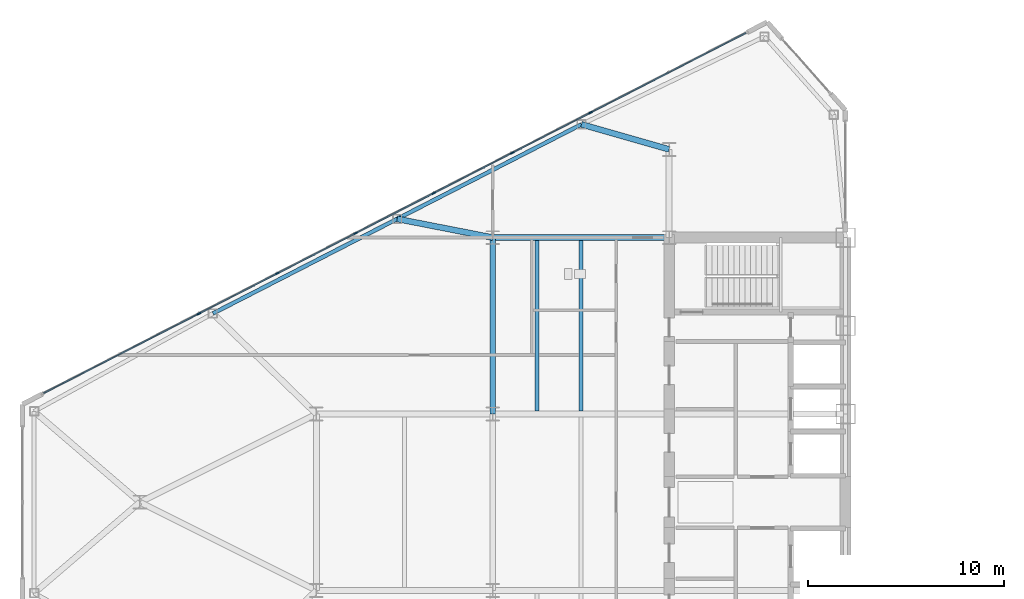
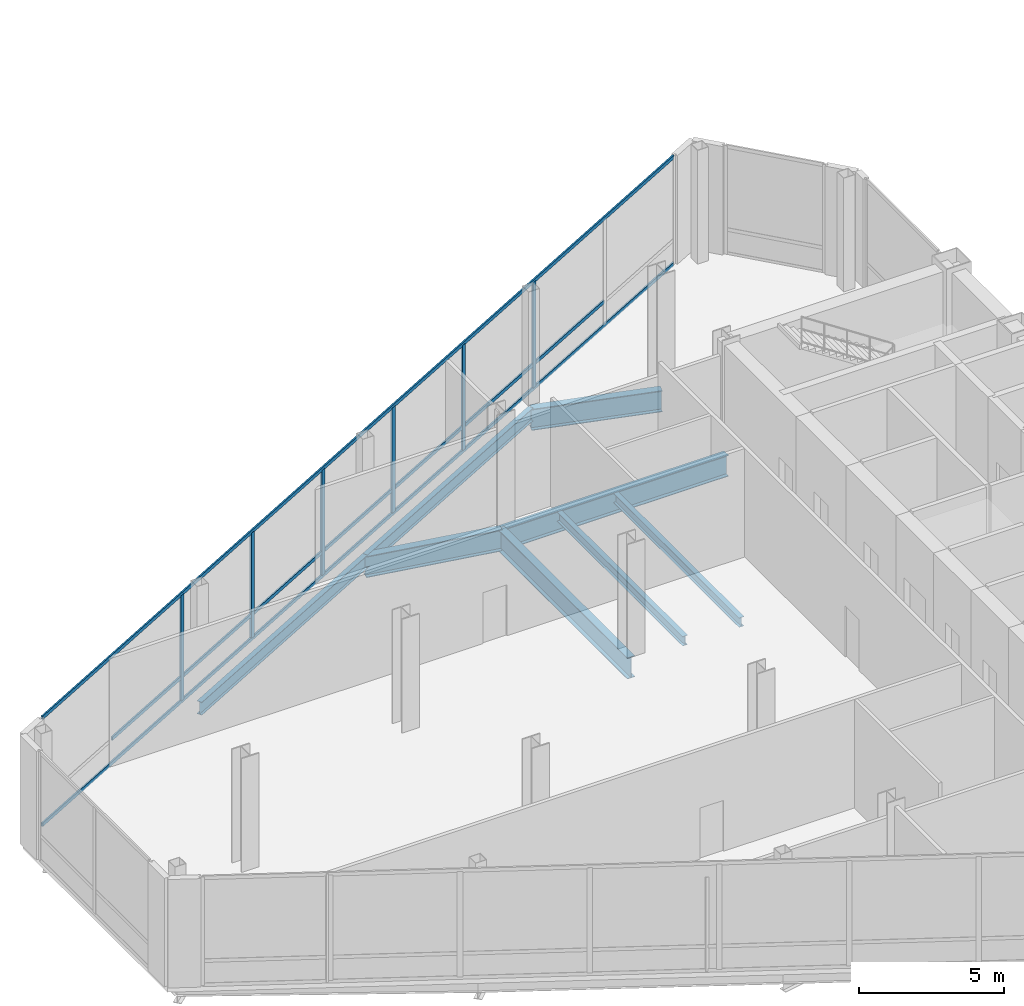
# One storey, part 6 of 22: 15 members, 8 beams, 1 element without a shape of its own.
"""IFC4 building model written with IfcOpenShell, lengths in metres."""

import ifcopenshell
import ifcopenshell.guid

model = None  # the IFC model being written
_history = None  # IfcOwnerHistory: only IFC2X3 demands one
_inside = {}  # id of a spatial element -> (the spatial element, [elements in it])
_under = {}  # id of a project, library or spatial element -> (it, [spatial elements below it])
_declared = {}  # id of a project -> (the project, [libraries it declares])
_typed = {}  # id of a type object -> (the type object, [elements of that type])
_made_of = {}  # id of a material, layer set ... -> (it, [elements and type objects made of it])


def new_model(schema):
    """Start an empty IFC model of exactly this schema.

    Asked for "IFC4X3", IfcOpenShell would pick the latest addendum, in which some entities
    have other attributes; the version numbers below select the first issue.
    IFC2X3 requires an IfcOwnerHistory on every rooted entity: one is made here for all.
    """
    global model, _history
    if schema == "IFC4X3":
        model = ifcopenshell.file(schema_version=(4, 3, 0, 0))
    else:
        model = ifcopenshell.file(schema=schema)
    _inside.clear()
    _under.clear()
    _declared.clear()
    _typed.clear()
    _made_of.clear()
    _history = None
    if model.schema == "IFC2X3":
        org = make("IfcOrganization", Name="unknown")
        user = make(
            "IfcPersonAndOrganization",
            ThePerson=make("IfcPerson", FamilyName="unknown"),
            TheOrganization=org,
        )
        app = make(
            "IfcApplication",
            ApplicationDeveloper=org,
            Version="unknown",
            ApplicationFullName="unknown",
            ApplicationIdentifier="unknown",
        )
        _history = make(
            "IfcOwnerHistory",
            OwningUser=user,
            OwningApplication=app,
            ChangeAction="ADDED",
            CreationDate=0,
        )
    return model


def make(cls, **values):
    """One entity of the class cls with the attributes given. An attribute that is None is left unset."""
    return model.create_entity(
        cls, **{name: value for name, value in values.items() if value is not None}
    )


def rooted(cls, **values):
    """An entity with a GlobalId (a new one), such as an element, a storey or a relation."""
    return make(cls, GlobalId=ifcopenshell.guid.new(), OwnerHistory=_history, **values)


def si_unit(unit_type, name, prefix=None):
    """IfcSIUnit, for example si_unit("LENGTHUNIT", "METRE", prefix="MILLI")."""
    return make("IfcSIUnit", UnitType=unit_type, Prefix=prefix, Name=name)


def assignment(units):
    """IfcUnitAssignment: the units of a project."""
    return None if units is None else make("IfcUnitAssignment", Units=units)


def point(xyz):
    """IfcCartesianPoint."""
    return None if xyz is None else make("IfcCartesianPoint", Coordinates=xyz)


def direction(xyz):
    """IfcDirection."""
    return None if xyz is None else make("IfcDirection", DirectionRatios=xyz)


def frame(location, z_axis=None, x_axis=None):
    """IfcAxis2Placement3D, a coordinate frame: its origin and axes. An axis left out is left unset."""
    return make(
        "IfcAxis2Placement3D",
        Location=point(location),
        Axis=direction(z_axis),
        RefDirection=direction(x_axis),
    )


def frame_2d(location, x_axis=None):
    """IfcAxis2Placement2D, a coordinate frame in the plane: its origin and x axis."""
    return make(
        "IfcAxis2Placement2D", Location=point(location), RefDirection=direction(x_axis)
    )


def origin():
    """The frame at (0, 0, 0) with its axes left unset."""
    return frame((0.0, 0.0, 0.0))


def origin_2d():
    """The frame at (0, 0) in the plane with its x axis left unset."""
    return frame_2d((0.0, 0.0))


def place(relative_to, where):
    """IfcLocalPlacement: puts the frame where relative to a parent placement (None: the world)."""
    return make(
        "IfcLocalPlacement", PlacementRelTo=relative_to, RelativePlacement=where
    )


def context(
    kind, dimensions, precision=None, world=None, true_north=None, identifier=None
):
    """IfcGeometricRepresentationContext, for example the 3D "Model" context."""
    return make(
        "IfcGeometricRepresentationContext",
        ContextIdentifier=identifier,
        ContextType=kind,
        CoordinateSpaceDimension=dimensions,
        Precision=precision,
        WorldCoordinateSystem=world,
        TrueNorth=true_north,
    )


def subcontext(parent, identifier, kind, view, scale=None):
    """IfcGeometricRepresentationSubContext, for example "Body" below "Model"."""
    return make(
        "IfcGeometricRepresentationSubContext",
        ContextIdentifier=identifier,
        ContextType=kind,
        ParentContext=parent,
        TargetScale=scale,
        TargetView=view,
    )


def project(units=None, contexts=None):
    """IfcProject with its units and contexts."""
    return rooted(
        "IfcProject",
        Name="project",
        RepresentationContexts=contexts,
        UnitsInContext=assignment(units),
    )


def spatial(cls, under=None, at=None, **own):
    """A site, building, storey or space (cls), placed at a placement, below another one or the project."""
    s = rooted(cls, ObjectPlacement=at, **own)
    if under is not None:
        _under.setdefault(under.id(), (under, []))[1].append(s)
    return s


def profile(cls, at=None, kind="AREA", **sizes):
    """A parametric profile (cls). Its sizes go by their IFC names, for example OverallWidth=200.0."""
    return make(cls, ProfileType=kind, Position=at, **sizes)


def rectangle(**sizes):
    """IfcRectangleProfileDef."""
    return profile("IfcRectangleProfileDef", **sizes)


def i_section(**sizes):
    """IfcIShapeProfileDef."""
    return profile("IfcIShapeProfileDef", **sizes)


def extrude(swept, where, along, depth):
    """IfcExtrudedAreaSolid: the profile swept, set in the frame where, extruded along a direction by depth."""
    return make(
        "IfcExtrudedAreaSolid",
        SweptArea=swept,
        Position=where,
        ExtrudedDirection=direction(along),
        Depth=depth,
    )


def shape(context_of_items, identifier, shape_type, items):
    """IfcShapeRepresentation: the items that make up one representation, for example the "Body"."""
    return make(
        "IfcShapeRepresentation",
        ContextOfItems=context_of_items,
        RepresentationIdentifier=identifier,
        RepresentationType=shape_type,
        Items=items,
    )


def source(mapping_origin, context_of_items, identifier, shape_type, items):
    """IfcRepresentationMap: a shape defined once, which mapped items show again and again."""
    return make(
        "IfcRepresentationMap",
        MappingOrigin=mapping_origin,
        MappedRepresentation=shape(context_of_items, identifier, shape_type, items),
    )


def transform(
    local_origin,
    x_axis=None,
    y_axis=None,
    z_axis=None,
    scale=None,
    scale2=None,
    scale3=None,
    uniform=True,
):
    """IfcCartesianTransformationOperator3D, or its non-uniform kind. x_axis, y_axis, z_axis: its Axis1, 2, 3."""
    if uniform:
        return make(
            "IfcCartesianTransformationOperator3D",
            Axis1=direction(x_axis),
            Axis2=direction(y_axis),
            LocalOrigin=point(local_origin),
            Scale=scale,
            Axis3=direction(z_axis),
        )
    return make(
        "IfcCartesianTransformationOperator3DnonUniform",
        Axis1=direction(x_axis),
        Axis2=direction(y_axis),
        LocalOrigin=point(local_origin),
        Scale=scale,
        Axis3=direction(z_axis),
        Scale2=scale2,
        Scale3=scale3,
    )


def mapped(mapping_source, mapping_target):
    """IfcMappedItem: shows the shape of a source again, moved by a transform."""
    return make(
        "IfcMappedItem", MappingSource=mapping_source, MappingTarget=mapping_target
    )


def material(Name=None, Category=None):
    """IfcMaterial."""
    return make("IfcMaterial", Name=Name, Category=Category)


def layer(
    of_material, thickness, ventilated=None, Name=None, Category=None, Priority=None
):
    """IfcMaterialLayer: one layer of a wall or slab, of a material (None: an air gap)."""
    return make(
        "IfcMaterialLayer",
        Material=of_material,
        LayerThickness=thickness,
        IsVentilated=ventilated,
        Name=Name,
        Category=Category,
        Priority=Priority,
    )


def layer_set(layers, Name=None):
    """IfcMaterialLayerSet."""
    return make("IfcMaterialLayerSet", MaterialLayers=layers, LayerSetName=Name)


def material_profile(
    of_material, cross_section, Name=None, Category=None, Priority=None
):
    """IfcMaterialProfile: a cross section and its material."""
    return make(
        "IfcMaterialProfile",
        Name=Name,
        Material=of_material,
        Profile=cross_section,
        Priority=Priority,
        Category=Category,
    )


def profile_set(profiles, Name=None, composite=None):
    """IfcMaterialProfileSet."""
    return make(
        "IfcMaterialProfileSet",
        Name=Name,
        MaterialProfiles=profiles,
        CompositeProfile=composite,
    )


def made_of(thing, what):
    """Note that an element or type object is made of a material, layer set ...; save() writes the relation."""
    if what is not None:
        _made_of.setdefault(what.id(), (what, []))[1].append(thing)
    return thing


def type_object(cls, material=None, **own):
    """A type object (cls), such as IfcWallType, which elements share."""
    return made_of(rooted(cls, **own), material)


def type_shapes(of_type, sources):
    """Give a type object the sources (RepresentationMaps) that its elements show as mapped items."""
    of_type.RepresentationMaps = sources


def element(
    cls,
    number,
    at=None,
    inside=None,
    cuts=None,
    type_object=None,
    material=None,
    context=None,
    identifier="Body",
    shape_type=None,
    held_by="IfcProductDefinitionShape",
    body=None,
    shapes=None,
    **own,
):
    """One element of the class cls, such as IfcWall. Its Tag is "e" and its number.

    at: its placement. inside: the storey or other place that contains it. cuts: it is an
    opening in that element (IfcRelVoidsElement). A single representation is given by context,
    identifier, shape_type and body (its items); several are given by shapes. held_by: the class
    of the entity that holds the representations. save() writes the other relations.
    """
    e = rooted(cls, Tag="e%d" % number, ObjectPlacement=at, **own)
    if body is not None:
        shapes = [shape(context, identifier, shape_type, body)]
    if shapes is not None:
        e.Representation = make(held_by, Representations=shapes)
    if inside is not None:
        _inside.setdefault(inside.id(), (inside, []))[1].append(e)
    if cuts is not None:
        rooted(
            "IfcRelVoidsElement", RelatingBuildingElement=cuts, RelatedOpeningElement=e
        )
    if type_object is not None:
        _typed.setdefault(type_object.id(), (type_object, []))[1].append(e)
    return made_of(e, material)


def aggregate(whole, parts):
    """IfcRelAggregates: a whole, such as a stair, and the parts it consists of."""
    return rooted("IfcRelAggregates", RelatingObject=whole, RelatedObjects=parts)


def save(model, path):
    """Write the relations noted so far, then the file.

    IfcRelAggregates (storeys below a building ...), IfcRelContainedInSpatialStructure (elements
    in a storey), IfcRelDefinesByType, IfcRelAssociatesMaterial and IfcRelDeclares: one each for
    every whole, place, type object, material and project.
    """
    for whole, parts in _under.values():
        aggregate(whole, parts)
    for where, things in _inside.values():
        rooted(
            "IfcRelContainedInSpatialStructure",
            RelatedElements=things,
            RelatingStructure=where,
        )
    for kind, things in _typed.values():
        rooted("IfcRelDefinesByType", RelatedObjects=things, RelatingType=kind)
    for what, things in _made_of.values():
        rooted("IfcRelAssociatesMaterial", RelatedObjects=things, RelatingMaterial=what)
    for by, libraries in _declared.values():
        rooted("IfcRelDeclares", RelatingContext=by, RelatedDefinitions=libraries)
    model.write(path)


model = new_model("IFC4")

# Units and contexts
model_context = context("Model", 3, precision=1e-05, world=origin(), true_north=direction((0.0, 1.0)))
body_context = subcontext(model_context, "Body", "Model", "MODEL_VIEW")
ifc_project = project(units=[si_unit("LENGTHUNIT", "METRE"), si_unit("AREAUNIT", "SQUARE_METRE"), si_unit("VOLUMEUNIT", "CUBIC_METRE"), si_unit("PLANEANGLEUNIT", "RADIAN"), si_unit("MASSUNIT", "GRAM", prefix="KILO")], contexts=[model_context])

# Site, building, storey
site_placement = place(None, origin())
site = spatial("IfcSite", under=ifc_project, at=site_placement, CompositionType="ELEMENT")
building_placement = place(site_placement, origin())
building = spatial("IfcBuilding", under=site, at=building_placement, Name="Seokmaru Belvedere", CompositionType="ELEMENT")
storey_placement = place(building_placement, frame((0.0, 0.0, 135.60009765625)))
storey = spatial("IfcBuildingStorey", under=building, at=storey_placement, Name="L36", CompositionType="ELEMENT", Elevation=135.60009765625)

# Beams
ifc_material_1 = material(Name="Steel SM355 (355 MPa)", Category="steel")
ifc_material_profile_1 = material_profile(ifc_material_1, i_section(OverallWidth=0.300048828125, OverallDepth=0.89990234375, WebThickness=0.01611328125, FlangeThickness=0.028076171875, at=origin_2d()), Name="H-900x300x16x28")
ifc_profile_set_1 = profile_set([ifc_material_profile_1], Name="Steel SM355 (355 MPa)")
beam_type_1 = type_object("IfcBeamType", Name="Refuge Floor Girder H-900", PredefinedType="BEAM", material=ifc_profile_set_1)
shared_shape_1 = source(origin(), body_context, "Body", "SweptSolid", [
    extrude(i_section(OverallWidth=0.300048828125, OverallDepth=0.89990234375, WebThickness=0.01611328125, FlangeThickness=0.028076171875, at=origin_2d()), origin(), (0.0, 0.0, 1.0), 9.0),
])
for number, where, z_axis, x_axis, name in (
    (1, (-45.5, 4.5, -0.710205078125), (0.0, 1.0, 0.0), (-1.0, 0.0, 0.0), "L36 W Interior Grid Girder 3"),
    (2, (-45.5, 13.5, -0.710205078125), (1.0, 0.0, 0.0), (0.0, 1.0, 0.0), "L36 W Wing Primary Girder 4"),
):
    element("IfcBeam", number, at=place(storey_placement, frame(where, z_axis=z_axis, x_axis=x_axis)), inside=storey, type_object=beam_type_1, Name=name, PredefinedType="BEAM", context=body_context, shape_type="MappedRepresentation", body=[
        mapped(shared_shape_1, transform((0.0, 0.0, 0.0), scale=1.0)),
    ])
ifc_material_profile_2 = material_profile(ifc_material_1, i_section(OverallWidth=0.199951171875, OverallDepth=0.39990234375, WebThickness=0.008056640625, FlangeThickness=0.012939453125, at=origin_2d()), Name="H-400x200x8x13")
ifc_profile_set_2 = profile_set([ifc_material_profile_2], Name="Steel SM355 (355 MPa)")
beam_type_2 = type_object("IfcBeamType", Name="Secondary Floor Joist H-400", PredefinedType="JOIST", material=ifc_profile_set_2)
shared_shape_2 = source(origin(), body_context, "Body", "SweptSolid", [
    extrude(i_section(OverallWidth=0.199951171875, OverallDepth=0.39990234375, WebThickness=0.008056640625, FlangeThickness=0.012939453125, at=origin_2d()), origin(), (0.0, 0.0, 1.0), 8.68994140625),
])
type_shapes(beam_type_2, [shared_shape_2])
for number, where, z_axis, x_axis, name in (
    (3, (-43.25, 4.655029296875, -0.460205078125), (0.0, 1.0, 0.0), (-1.0, 0.0, 0.0), "L36 W Wing Inner Secondary Joist 2"),
    (4, (-41.0, 4.655029296875, -0.460205078125), (0.0, 1.0, 0.0), (-1.0, 0.0, 0.0), "L36 W Secondary Floor Joist 3"),
):
    element("IfcBeam", number, at=place(storey_placement, frame(where, z_axis=z_axis, x_axis=x_axis)), inside=storey, type_object=beam_type_2, Name=name, PredefinedType="JOIST", context=body_context, shape_type="MappedRepresentation", body=[
        mapped(shared_shape_2, transform((0.0, 0.0, 0.0), scale=1.0)),
    ])
ifc_material_profile_3 = material_profile(ifc_material_1, i_section(OverallWidth=0.199951171875, OverallDepth=0.550048828125, WebThickness=0.010009765625, FlangeThickness=0.01611328125, at=origin_2d()), Name="H-550x200x10x16")
ifc_profile_set_3 = profile_set([ifc_material_profile_3], Name="Steel SM355 (355 MPa)")
beam_type_3 = type_object("IfcBeamType", Name="Sky-Lobby Spandrel Beam H-550", PredefinedType="SPANDREL", material=ifc_profile_set_3)
shared_shape_3 = source(origin(), body_context, "Body", "SweptSolid", [
    extrude(i_section(OverallWidth=0.199951171875, OverallDepth=0.550048828125, WebThickness=0.010009765625, FlangeThickness=0.01611328125, at=origin_2d()), origin(), (0.0, 0.0, 1.0), 10.56689453125),
])
type_shapes(beam_type_3, [shared_shape_3])
for number, where, z_axis, x_axis, name in (
    (5, (-40.975830078125, 19.277587890625, -0.53515625), (-0.889701972758, -0.45654178305, 0.0), (0.45654178305, -0.889701972758, 0.0), "L36 W Faceted Flank Spandrel N-2"),
    (6, (-50.377197265625, 14.453369140625, -0.53515625), (-0.889692588006, -0.456560071455, 0.0), (0.456560071455, -0.889692588006, 0.0), "L36 W Faceted Flank Spandrel N-3"),
):
    element("IfcBeam", number, at=place(storey_placement, frame(where, z_axis=z_axis, x_axis=x_axis)), inside=storey, type_object=beam_type_3, Name=name, PredefinedType="SPANDREL", context=body_context, shape_type="MappedRepresentation", body=[
        mapped(shared_shape_3, transform((0.0, 0.0, 0.0), scale=1.0)),
    ])
shared_shape_4 = source(origin(), body_context, "Body", "SweptSolid", [
    extrude(i_section(OverallWidth=0.300048828125, OverallDepth=0.89990234375, WebThickness=0.01611328125, FlangeThickness=0.028076171875, at=origin_2d()), origin(), (0.0, 0.0, 1.0), 4.654541015625),
])
beam_1_placement = place(storey_placement, frame((-40.975830078125, 19.277587890625, -0.710205078125), z_axis=(0.961593192625, -0.274478654721, 0.0), x_axis=(0.274478654721, 0.961593192625, 0.0)))
element("IfcBeam", 7, at=beam_1_placement, inside=storey, type_object=beam_type_1, Name="L36 W Flank Radial Floor Girder N-1", PredefinedType="BEAM", context=body_context, shape_type="MappedRepresentation", body=[
    mapped(shared_shape_4, transform((0.0, 0.0, 0.0), scale=1.0)),
])
shared_shape_5 = source(origin(), body_context, "Body", "SweptSolid", [
    extrude(i_section(OverallWidth=0.300048828125, OverallDepth=0.89990234375, WebThickness=0.01611328125, FlangeThickness=0.028076171875, at=origin_2d()), origin(), (0.0, 0.0, 1.0), 4.969482421875),
])
type_shapes(beam_type_1, [shared_shape_1, shared_shape_4, shared_shape_5])
beam_2_placement = place(storey_placement, frame((-50.377197265625, 14.453369140625, -0.710205078125), z_axis=(0.98142544456, -0.19184393858, 0.0), x_axis=(0.19184393858, 0.98142544456, 0.0)))
element("IfcBeam", 8, at=beam_2_placement, inside=storey, type_object=beam_type_1, Name="L36 W Flank Radial Floor Girder N-2", PredefinedType="BEAM", context=body_context, shape_type="MappedRepresentation", body=[
    mapped(shared_shape_5, transform((0.0, 0.0, 0.0), scale=1.0)),
])

# Curtain wall, members
ifc_material_2 = material(Name="Bronze Triple Insulating Glass", Category="glass")
ifc_layer = layer(ifc_material_2, 0.195068359375)
ifc_layer_set = layer_set([ifc_layer], Name="Bronze Triple Insulating Glass")
curtain_wall_type = type_object("IfcCurtainWallType", Name="Sky-Lobby and Mid-Rise Curtain Wall System CW-4", PredefinedType="NOTDEFINED", material=ifc_layer_set)
curtain_wall_placement = place(storey_placement, origin())
curtain_wall = element("IfcCurtainWall", 9, at=curtain_wall_placement, inside=storey, type_object=curtain_wall_type, Name="L36 Curtain Wall WF3", PredefinedType="NOTDEFINED")
ifc_material_3 = material(Name="Anodised Bronze Aluminium", Category="aluminium")
ifc_material_profile_4 = material_profile(ifc_material_3, rectangle(XDim=0.06494140625, YDim=0.14990234375, at=origin_2d()), Name="CW-T-65x150")
ifc_profile_set_4 = profile_set([ifc_material_profile_4], Name="Anodised Bronze Aluminium")
member_type_1 = type_object("IfcMemberType", Name="Bronze Unitised Transom 65x150", PredefinedType="USERDEFINED", material=ifc_profile_set_4)
shared_shape_6 = source(origin(), body_context, "Body", "SweptSolid", [
    extrude(rectangle(XDim=0.06494140625, YDim=0.14990234375, at=origin_2d()), origin(), (0.0, 0.0, 1.0), 40.271240234375),
])
member_1_placement = place(storey_placement, frame((-32.58544921875, 23.943115234375, 0.032470703125), z_axis=(-0.889693089107, -0.456559094965, 0.0), x_axis=(0.456559094965, -0.889693089107, 0.0)))
member_1 = element("IfcMember", 10, at=member_1_placement, type_object=member_type_1, Name="CW:L36:WF3 Continuous Transom 1", ObjectType="TRANSOM", PredefinedType="USERDEFINED", context=body_context, shape_type="MappedRepresentation", body=[
    mapped(shared_shape_6, transform((0.0, 0.0, 0.0), scale=1.0)),
])
member_2_placement = place(storey_placement, frame((-32.58544921875, 23.943115234375, 4.54736328125), z_axis=(-0.889693089107, -0.456559094965, 0.0), x_axis=(0.456559094965, -0.889693089107, 0.0)))
member_2 = element("IfcMember", 11, at=member_2_placement, type_object=member_type_1, Name="CW:L36:WF3 Continuous Transom 2", ObjectType="TRANSOM", PredefinedType="USERDEFINED", context=body_context, shape_type="MappedRepresentation", body=[
    mapped(shared_shape_6, transform((0.0, 0.0, 0.0), scale=1.0)),
])
ifc_material_profile_5 = material_profile(ifc_material_3, rectangle(XDim=0.070068359375, YDim=0.195068359375, at=origin_2d()), Name="CW-M-70x195")
ifc_profile_set_5 = profile_set([ifc_material_profile_5], Name="Anodised Bronze Aluminium")
member_type_2 = type_object("IfcMemberType", Name="Bronze Unitised Mullion 70x195", PredefinedType="MULLION", material=ifc_profile_set_5)
shared_shape_7 = source(origin(), body_context, "Body", "SweptSolid", [
    extrude(rectangle(XDim=0.070068359375, YDim=0.195068359375, at=origin_2d()), origin(), (0.0, 0.0, 1.0), 4.449951171875),
])
type_shapes(member_type_2, [shared_shape_7])
member_3_placement = place(storey_placement, frame((-40.5126953125, 19.875, 0.06494140625), z_axis=(0.0, 0.0, 1.0), x_axis=(0.456554528263, -0.889695432562, 0.0)))
member_3 = element("IfcMember", 12, at=member_3_placement, type_object=member_type_2, Name="CW:L36:WF3 Mullion 3", PredefinedType="MULLION", context=body_context, shape_type="MappedRepresentation", body=[
    mapped(shared_shape_7, transform((0.0, 0.0, 0.0), scale=1.0)),
])
member_4_placement = place(storey_placement, frame((-44.5078125, 17.824951171875, 0.06494140625), z_axis=(0.0, 0.0, 1.0), x_axis=(0.456554528263, -0.889695432562, 0.0)))
member_4 = element("IfcMember", 13, at=member_4_placement, type_object=member_type_2, Name="CW:L36:WF3 Mullion 4", PredefinedType="MULLION", context=body_context, shape_type="MappedRepresentation", body=[
    mapped(shared_shape_7, transform((0.0, 0.0, 0.0), scale=1.0)),
])
member_5_placement = place(storey_placement, frame((-48.502685546875, 15.77490234375, 0.06494140625), z_axis=(0.0, 0.0, 1.0), x_axis=(0.456554528263, -0.889695432562, 0.0)))
member_5 = element("IfcMember", 14, at=member_5_placement, type_object=member_type_2, Name="CW:L36:WF3 Mullion 5", PredefinedType="MULLION", context=body_context, shape_type="MappedRepresentation", body=[
    mapped(shared_shape_7, transform((0.0, 0.0, 0.0), scale=1.0)),
])
member_6_placement = place(storey_placement, frame((-52.497314453125, 13.72509765625, 0.06494140625), z_axis=(0.0, 0.0, 1.0), x_axis=(0.456554528263, -0.889695432562, 0.0)))
member_6 = element("IfcMember", 15, at=member_6_placement, type_object=member_type_2, Name="CW:L36:WF3 Mullion 6", PredefinedType="MULLION", context=body_context, shape_type="MappedRepresentation", body=[
    mapped(shared_shape_7, transform((0.0, 0.0, 0.0), scale=1.0)),
])
member_7_placement = place(storey_placement, frame((-56.4921875, 11.675048828125, 0.06494140625), z_axis=(0.0, 0.0, 1.0), x_axis=(0.456554528263, -0.889695432562, 0.0)))
member_7 = element("IfcMember", 16, at=member_7_placement, type_object=member_type_2, Name="CW:L36:WF3 Mullion 7", PredefinedType="MULLION", context=body_context, shape_type="MappedRepresentation", body=[
    mapped(shared_shape_7, transform((0.0, 0.0, 0.0), scale=1.0)),
])
member_8_placement = place(storey_placement, frame((-60.4873046875, 9.625, 0.06494140625), z_axis=(0.0, 0.0, 1.0), x_axis=(0.456554528263, -0.889695432562, 0.0)))
member_8 = element("IfcMember", 17, at=member_8_placement, type_object=member_type_2, Name="CW:L36:WF3 Mullion 8", PredefinedType="MULLION", context=body_context, shape_type="MappedRepresentation", body=[
    mapped(shared_shape_7, transform((0.0, 0.0, 0.0), scale=1.0)),
])
shared_shape_8 = source(origin(), body_context, "Body", "SweptSolid", [
    extrude(rectangle(XDim=0.06494140625, YDim=0.14990234375, at=origin_2d()), origin(), (0.0, 0.0, 1.0), 4.420166015625),
])
type_shapes(member_type_1, [shared_shape_6, shared_shape_8])
member_9_placement = place(storey_placement, frame((-36.549072265625, 21.908935546875, 1.0498046875), z_axis=(-0.889716805756, -0.456512875563, 0.0), x_axis=(0.456512875563, -0.889716805756, 0.0)))
member_9 = element("IfcMember", 18, at=member_9_placement, type_object=member_type_1, Name="CW:L36:WF3 Spandrel Transom 2", ObjectType="TRANSOM", PredefinedType="USERDEFINED", context=body_context, shape_type="MappedRepresentation", body=[
    mapped(shared_shape_8, transform((0.0, 0.0, 0.0), scale=1.0)),
])
member_10_placement = place(storey_placement, frame((-40.5439453125, 19.85888671875, 1.0498046875), z_axis=(-0.889716805756, -0.456512875563, 0.0), x_axis=(0.456512875563, -0.889716805756, 0.0)))
member_10 = element("IfcMember", 19, at=member_10_placement, type_object=member_type_1, Name="CW:L36:WF3 Spandrel Transom 3", ObjectType="TRANSOM", PredefinedType="USERDEFINED", context=body_context, shape_type="MappedRepresentation", body=[
    mapped(shared_shape_8, transform((0.0, 0.0, 0.0), scale=1.0)),
])
member_11_placement = place(storey_placement, frame((-44.538818359375, 17.80908203125, 1.0498046875), z_axis=(-0.88969437082, -0.456556597293, 0.0), x_axis=(0.456556597293, -0.88969437082, 0.0)))
member_11 = element("IfcMember", 20, at=member_11_placement, type_object=member_type_1, Name="CW:L36:WF3 Spandrel Transom 4", ObjectType="TRANSOM", PredefinedType="USERDEFINED", context=body_context, shape_type="MappedRepresentation", body=[
    mapped(shared_shape_8, transform((0.0, 0.0, 0.0), scale=1.0)),
])
member_12_placement = place(storey_placement, frame((-48.53369140625, 15.759033203125, 1.0498046875), z_axis=(-0.88969437082, -0.456556597293, 0.0), x_axis=(0.456556597293, -0.88969437082, 0.0)))
member_12 = element("IfcMember", 21, at=member_12_placement, type_object=member_type_1, Name="CW:L36:WF3 Spandrel Transom 5", ObjectType="TRANSOM", PredefinedType="USERDEFINED", context=body_context, shape_type="MappedRepresentation", body=[
    mapped(shared_shape_8, transform((0.0, 0.0, 0.0), scale=1.0)),
])
member_13_placement = place(storey_placement, frame((-52.528564453125, 13.708984375, 1.0498046875), z_axis=(-0.88969437082, -0.456556597293, 0.0), x_axis=(0.456556597293, -0.88969437082, 0.0)))
member_13 = element("IfcMember", 22, at=member_13_placement, type_object=member_type_1, Name="CW:L36:WF3 Spandrel Transom 6", ObjectType="TRANSOM", PredefinedType="USERDEFINED", context=body_context, shape_type="MappedRepresentation", body=[
    mapped(shared_shape_8, transform((0.0, 0.0, 0.0), scale=1.0)),
])
member_14_placement = place(storey_placement, frame((-56.5234375, 11.658935546875, 1.0498046875), z_axis=(-0.889716805756, -0.456512875563, 0.0), x_axis=(0.456512875563, -0.889716805756, 0.0)))
member_14 = element("IfcMember", 23, at=member_14_placement, type_object=member_type_1, Name="CW:L36:WF3 Spandrel Transom 7", ObjectType="TRANSOM", PredefinedType="USERDEFINED", context=body_context, shape_type="MappedRepresentation", body=[
    mapped(shared_shape_8, transform((0.0, 0.0, 0.0), scale=1.0)),
])
member_15_placement = place(storey_placement, frame((-60.518310546875, 9.60888671875, 1.0498046875), z_axis=(-0.889716805756, -0.456512875563, 0.0), x_axis=(0.456512875563, -0.889716805756, 0.0)))
member_15 = element("IfcMember", 24, at=member_15_placement, type_object=member_type_1, Name="CW:L36:WF3 Spandrel Transom 8", ObjectType="TRANSOM", PredefinedType="USERDEFINED", context=body_context, shape_type="MappedRepresentation", body=[
    mapped(shared_shape_8, transform((0.0, 0.0, 0.0), scale=1.0)),
])
aggregate(curtain_wall, [member_3, member_4, member_5, member_6, member_7, member_8, member_1, member_2, member_9, member_10, member_11, member_12, member_13, member_14, member_15])

save(model, "model.ifc")
